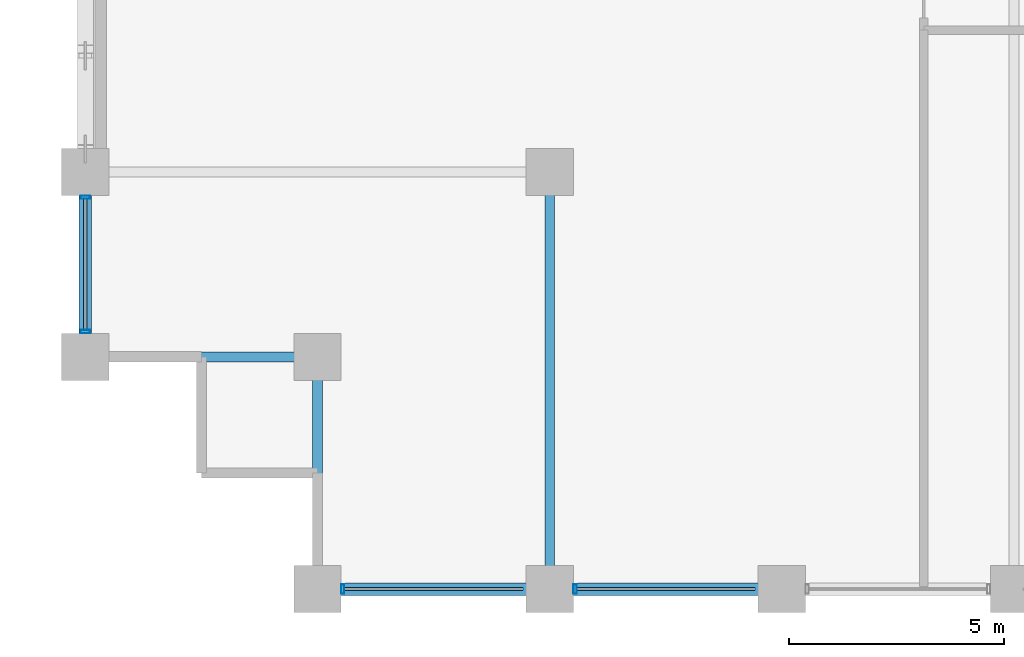
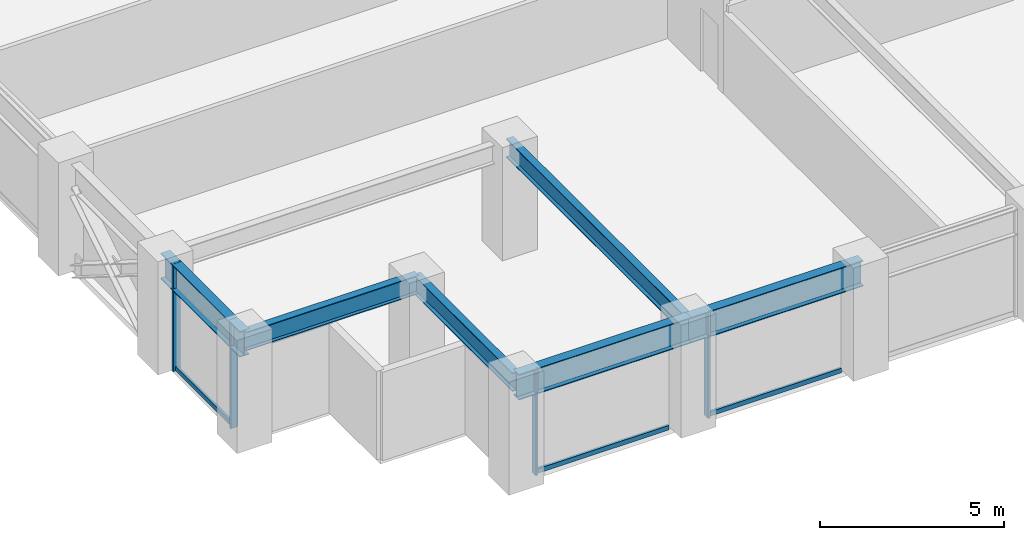
# One storey, part 2 of 26: 7 members, 6 beams, 2 elements without a shape of their own.
"""IFC4 building model written with IfcOpenShell, lengths in metres."""

from ifc_helpers import new_model, si_unit, direction, frame, origin, origin_2d, place, context, subcontext, project, spatial, hollow_rectangle, i_section, extrude, material, layer, layer_set, material_profile, profile_set, type_object, element, aggregate, save


model = new_model("IFC4")

# Units and contexts
model_context = context("Model", 3, precision=1e-05, world=origin(), true_north=direction((0.0, 1.0)))
body_context = subcontext(model_context, "Body", "Model", "MODEL_VIEW")
ifc_project = project(units=[si_unit("LENGTHUNIT", "METRE"), si_unit("AREAUNIT", "SQUARE_METRE"), si_unit("VOLUMEUNIT", "CUBIC_METRE"), si_unit("PLANEANGLEUNIT", "RADIAN"), si_unit("MASSUNIT", "GRAM", prefix="KILO")], contexts=[model_context])

# Site, building, storey
site_placement = place(None, origin())
site = spatial("IfcSite", under=ifc_project, at=site_placement, CompositionType="ELEMENT")
building_placement = place(site_placement, origin())
building = spatial("IfcBuilding", under=site, at=building_placement, Name="Surkhivell Harbour Commons", CompositionType="ELEMENT")
storey_placement = place(building_placement, frame((0.0, 0.0, 102.0)))
storey = spatial("IfcBuildingStorey", under=building, at=storey_placement, Name="L26", CompositionType="ELEMENT", Elevation=102.0)

# Beams
ifc_material_1 = material(Name="Steel S355", Category="steel")
ifc_material_profile_1 = material_profile(ifc_material_1, i_section(OverallWidth=0.22998046875, OverallDepth=0.616943359375, WebThickness=0.01318359375, FlangeThickness=0.022216796875, at=origin_2d()), Name="UB610x229x140")
ifc_profile_set_1 = profile_set([ifc_material_profile_1], Name="Steel S355")
beam_type_1 = type_object("IfcBeamType", Name="BM-GRD-610B", PredefinedType="BEAM", material=ifc_profile_set_1)
for number, where, z_axis, x_axis, name in (
    (1, (-32.39990234375, -20.5, 3.261474609375), (1.0, 0.0, 0.0), (0.0, 1.0, 0.0), "L26 Floor Girder (-32.4,-20.5)"),
    (2, (-27.0, -25.89990234375, 3.261474609375), (0.0, 1.0, 0.0), (-1.0, 0.0, 0.0), "L26 Floor Girder (-27.0,-25.9)"),
):
    element("IfcBeam", number, at=place(storey_placement, frame(where, z_axis=z_axis, x_axis=x_axis)), inside=storey, type_object=beam_type_1, Name=name, PredefinedType="BEAM", context=body_context, shape_type="SweptSolid", body=[
        extrude(i_section(OverallWidth=0.22998046875, OverallDepth=0.616943359375, WebThickness=0.01318359375, FlangeThickness=0.022216796875, at=origin_2d()), origin(), (0.0, 0.0, 1.0), 5.39990234375),
    ])
beam_1_placement = place(storey_placement, frame((-21.60009765625, -25.89990234375, 3.261474609375), z_axis=(0.0, 1.0, 0.0), x_axis=(-1.0, 0.0, 0.0)))
element("IfcBeam", 3, at=beam_1_placement, inside=storey, type_object=beam_type_1, Name="L26 Floor Girder (-21.6,-25.9)", PredefinedType="BEAM", context=body_context, shape_type="SweptSolid", body=[
    extrude(i_section(OverallWidth=0.22998046875, OverallDepth=0.616943359375, WebThickness=0.01318359375, FlangeThickness=0.022216796875, at=origin_2d()), origin(), (0.0, 0.0, 1.0), 9.699951171875),
])
ifc_material_2 = material(Name="Steel S460", Category="steel")
ifc_material_profile_2 = material_profile(ifc_material_2, i_section(OverallWidth=0.2939453125, OverallDepth=0.85107421875, WebThickness=0.01611328125, FlangeThickness=0.02685546875, at=origin_2d()), Name="UB838x292x226")
ifc_profile_set_2 = profile_set([ifc_material_profile_2], Name="Steel S460")
beam_type_2 = type_object("IfcBeamType", Name="BM-SPN-838", PredefinedType="SPANDREL", material=ifc_profile_set_2)
beam_2_placement = place(storey_placement, frame((-32.39990234375, -20.5, 3.14453125), z_axis=(0.0, 1.0, 0.0), x_axis=(-1.0, 0.0, 0.0)))
element("IfcBeam", 4, at=beam_2_placement, inside=storey, type_object=beam_type_2, Name="L26 Tube Spandrel (-32.4,-20.5)", PredefinedType="SPANDREL", context=body_context, shape_type="SweptSolid", body=[
    extrude(i_section(OverallWidth=0.2939453125, OverallDepth=0.85107421875, WebThickness=0.01611328125, FlangeThickness=0.02685546875, at=origin_2d()), origin(), (0.0, 0.0, 1.0), 4.300048828125),
])
beam_3_placement = place(storey_placement, frame((-27.0, -25.89990234375, 3.14453125), z_axis=(1.0, 0.0, 0.0), x_axis=(0.0, 1.0, 0.0)))
element("IfcBeam", 5, at=beam_3_placement, inside=storey, type_object=beam_type_2, Name="L26 Tube Spandrel (-27.0,-25.9)", PredefinedType="SPANDREL", context=body_context, shape_type="SweptSolid", body=[
    extrude(i_section(OverallWidth=0.2939453125, OverallDepth=0.85107421875, WebThickness=0.01611328125, FlangeThickness=0.02685546875, at=origin_2d()), origin(), (0.0, 0.0, 1.0), 5.39990234375),
])
beam_4_placement = place(storey_placement, frame((-21.60009765625, -25.89990234375, 3.14453125), z_axis=(1.0, 0.0, 0.0), x_axis=(0.0, 1.0, 0.0)))
element("IfcBeam", 6, at=beam_4_placement, inside=storey, type_object=beam_type_2, Name="L26 Tube Spandrel (-21.6,-25.9)", PredefinedType="SPANDREL", context=body_context, shape_type="SweptSolid", body=[
    extrude(i_section(OverallWidth=0.2939453125, OverallDepth=0.85107421875, WebThickness=0.01611328125, FlangeThickness=0.02685546875, at=origin_2d()), origin(), (0.0, 0.0, 1.0), 5.400146484375),
])

# Curtain wall, members
ifc_material_3 = material(Name="Anodised pale-metal aluminium and insulated glazing", Category="aluminium")
ifc_layer = layer(ifc_material_3, 0.205078125)
ifc_layer_set = layer_set([ifc_layer], Name="Anodised pale-metal aluminium and insulated glazing")
curtain_wall_type = type_object("IfcCurtainWallType", Name="CW-SYS-Z2", PredefinedType="NOTDEFINED", material=ifc_layer_set)
curtain_wall_1_placement = place(storey_placement, origin())
curtain_wall_1 = element("IfcCurtainWall", 7, at=curtain_wall_1_placement, inside=storey, type_object=curtain_wall_type, Name="L26 Curtain Wall CW-L26-E00S1", PredefinedType="NOTDEFINED")
ifc_material_4 = material(Name="Anodised pale-metal aluminium alloy 6063-T6", Category="aluminium")
ifc_material_profile_3 = material_profile(ifc_material_4, hollow_rectangle(XDim=0.074951171875, YDim=0.219970703125, WallThickness=0.00390625, at=origin_2d()), Name="ALU-MULL-75x220")
ifc_profile_set_3 = profile_set([ifc_material_profile_3], Name="Anodised pale-metal aluminium alloy 6063-T6")
member_type_1 = type_object("IfcMemberType", Name="CWM-220", PredefinedType="MULLION", material=ifc_profile_set_3)
member_1_placement = place(storey_placement, frame((-26.410400390625, -25.89990234375, 0.0), z_axis=(0.0, 0.0, 1.0), x_axis=(1.0, 0.0, 0.0)))
member_1 = element("IfcMember", 8, at=member_1_placement, type_object=member_type_1, Name="CW-Z2 mullion 1", PredefinedType="MULLION", context=body_context, shape_type="SweptSolid", body=[
    extrude(hollow_rectangle(XDim=0.074951171875, YDim=0.219970703125, WallThickness=0.00390625, at=origin_2d()), origin(), (0.0, 0.0, 1.0), 3.570068359375),
])
member_2_placement = place(storey_placement, frame((-21.010498046875, -25.89990234375, 0.0), z_axis=(0.0, 0.0, 1.0), x_axis=(1.0, 0.0, 0.0)))
member_2 = element("IfcMember", 9, at=member_2_placement, type_object=member_type_1, Name="CW-Z2 mullion 2", PredefinedType="MULLION", context=body_context, shape_type="SweptSolid", body=[
    extrude(hollow_rectangle(XDim=0.074951171875, YDim=0.219970703125, WallThickness=0.00390625, at=origin_2d()), origin(), (0.0, 0.0, 1.0), 3.570068359375),
])

curtain_wall_2_placement = place(storey_placement, origin())
curtain_wall_2 = element("IfcCurtainWall", 10, at=curtain_wall_2_placement, inside=storey, type_object=curtain_wall_type, Name="L26 Curtain Wall CW-L26-E12R1S1", PredefinedType="NOTDEFINED")
member_3_placement = place(storey_placement, frame((-32.39990234375, -19.910400390625, 0.0), z_axis=(0.0, 0.0, 1.0), x_axis=(0.0, 1.0, 0.0)))
member_3 = element("IfcMember", 11, at=member_3_placement, type_object=member_type_1, Name="CW-Z2 mullion 1", PredefinedType="MULLION", context=body_context, shape_type="SweptSolid", body=[
    extrude(hollow_rectangle(XDim=0.074951171875, YDim=0.219970703125, WallThickness=0.00390625, at=origin_2d()), origin(), (0.0, 0.0, 1.0), 3.570068359375),
])
member_4_placement = place(storey_placement, frame((-32.39990234375, -16.78955078125, 0.0), z_axis=(0.0, 0.0, 1.0), x_axis=(0.0, 1.0, 0.0)))
member_4 = element("IfcMember", 12, at=member_4_placement, type_object=member_type_1, Name="CW-Z2 mullion 2", PredefinedType="MULLION", context=body_context, shape_type="SweptSolid", body=[
    extrude(hollow_rectangle(XDim=0.074951171875, YDim=0.219970703125, WallThickness=0.00390625, at=origin_2d()), origin(), (0.0, 0.0, 1.0), 3.570068359375),
])

# Member
ifc_material_profile_4 = material_profile(ifc_material_4, hollow_rectangle(XDim=0.074951171875, YDim=0.14990234375, WallThickness=0.00341796875, at=origin_2d()), Name="ALU-TRAN-75x150")
ifc_profile_set_4 = profile_set([ifc_material_profile_4], Name="Anodised pale-metal aluminium alloy 6063-T6")
member_type_2 = type_object("IfcMemberType", Name="CWT-150", PredefinedType="USERDEFINED", material=ifc_profile_set_4)
member_5_placement = place(storey_placement, frame((-26.373046875, -25.89990234375, 0.074951171875), z_axis=(1.0, 0.0, 0.0), x_axis=(0.0, 1.0, 0.0)))
member_5 = element("IfcMember", 13, at=member_5_placement, type_object=member_type_2, Name="CW-Z2 transom 1.1", ObjectType="TRANSOM", PredefinedType="USERDEFINED", context=body_context, shape_type="SweptSolid", body=[
    extrude(hollow_rectangle(XDim=0.074951171875, YDim=0.14990234375, WallThickness=0.00341796875, at=origin_2d()), origin(), (0.0, 0.0, 1.0), 4.14599609375),
])

member_6_placement = place(storey_placement, frame((-20.972900390625, -25.89990234375, 0.074951171875), z_axis=(1.0, 0.0, 0.0), x_axis=(0.0, 1.0, 0.0)))
member_6 = element("IfcMember", 14, at=member_6_placement, type_object=member_type_2, Name="CW-Z2 transom 2.1", ObjectType="TRANSOM", PredefinedType="USERDEFINED", context=body_context, shape_type="SweptSolid", body=[
    extrude(hollow_rectangle(XDim=0.074951171875, YDim=0.14990234375, WallThickness=0.00341796875, at=origin_2d()), origin(), (0.0, 0.0, 1.0), 4.14599609375),
])

aggregate(curtain_wall_1, [member_1, member_5, member_2, member_6])

member_7_placement = place(storey_placement, frame((-32.39990234375, -19.873046875, 0.074951171875), z_axis=(0.0, 1.0, 0.0), x_axis=(-1.0, 0.0, 0.0)))
member_7 = element("IfcMember", 15, at=member_7_placement, type_object=member_type_2, Name="CW-Z2 transom 1.1", ObjectType="TRANSOM", PredefinedType="USERDEFINED", context=body_context, shape_type="SweptSolid", body=[
    extrude(hollow_rectangle(XDim=0.074951171875, YDim=0.14990234375, WallThickness=0.00341796875, at=origin_2d()), origin(), (0.0, 0.0, 1.0), 3.046142578125),
])

aggregate(curtain_wall_2, [member_3, member_4, member_7])

save(model, "model.ifc")
